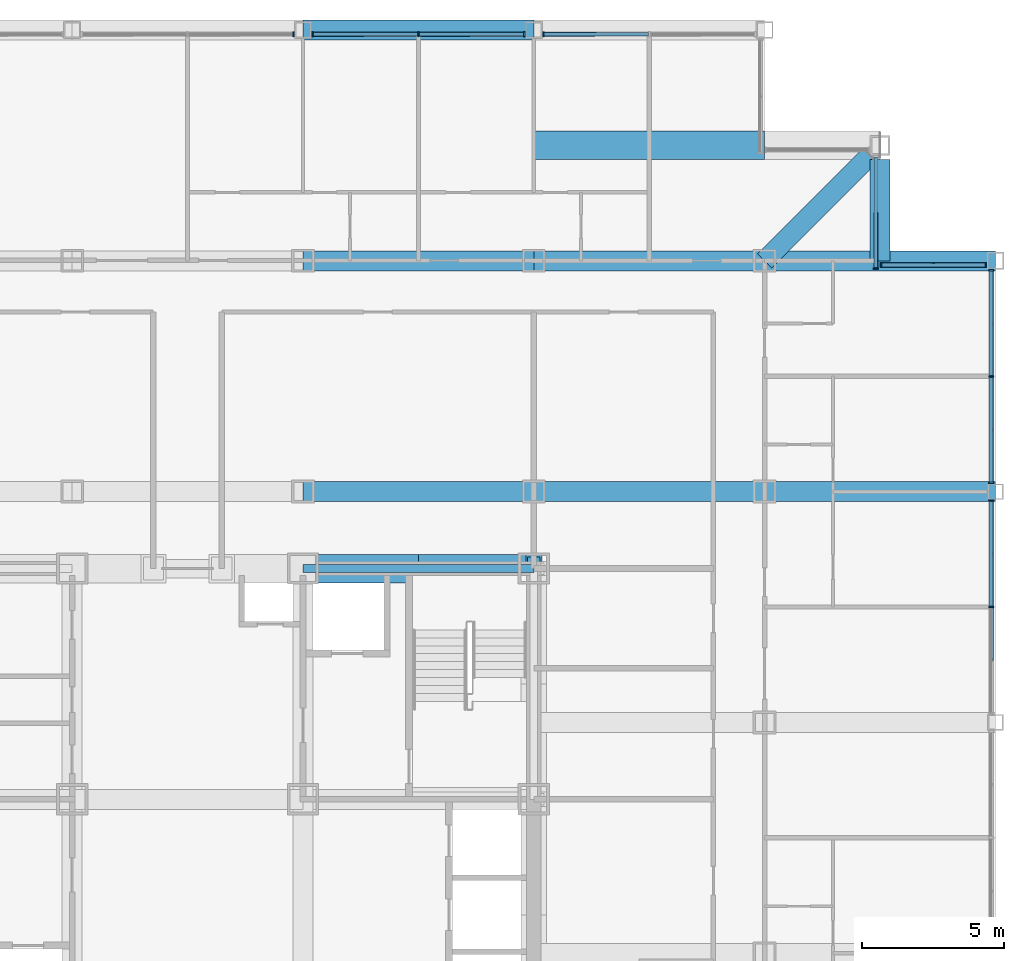
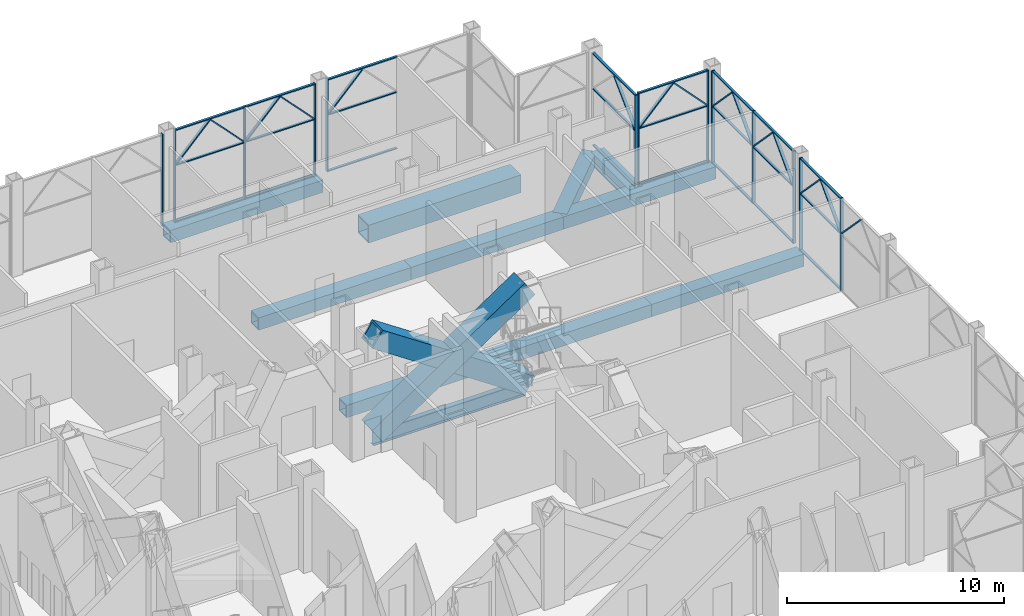
# One storey, part 10 of 29: 54 members, 11 beams, 7 elements without a shape of their own.
"""IFC4 building model written with IfcOpenShell, lengths in metres."""

from ifc_helpers import new_model, si_unit, direction, frame, origin, origin_2d, place, context, subcontext, project, spatial, rectangle, hollow_rectangle, i_section, extrude, material, material_profile, profile_set, type_object, element, aggregate, save


model = new_model("IFC4")

# Units and contexts
model_context = context("Model", 3, precision=1e-05, world=origin(), true_north=direction((0.0, 1.0)))
body_context = subcontext(model_context, "Body", "Model", "MODEL_VIEW")
ifc_project = project(units=[si_unit("LENGTHUNIT", "METRE"), si_unit("AREAUNIT", "SQUARE_METRE"), si_unit("VOLUMEUNIT", "CUBIC_METRE"), si_unit("PLANEANGLEUNIT", "RADIAN"), si_unit("MASSUNIT", "GRAM", prefix="KILO")], contexts=[model_context])

# Site, building, storey
site_placement = place(None, origin())
site = spatial("IfcSite", under=ifc_project, at=site_placement, CompositionType="ELEMENT")
building_placement = place(site_placement, origin())
building = spatial("IfcBuilding", under=site, at=building_placement, Name="Kopane Lantern Tower", CompositionType="ELEMENT")
storey_placement = place(building_placement, frame((0.0, 0.0, 165.0)))
storey = spatial("IfcBuildingStorey", under=building, at=storey_placement, Name="L42", CompositionType="ELEMENT", Elevation=165.0)

# Members
ifc_material_1 = material(Name="Steel S355JR", Category="steel")
ifc_material_profile_1 = material_profile(ifc_material_1, hollow_rectangle(XDim=1.0, YDim=1.0, WallThickness=0.10009765625, at=origin_2d()), Name="BOX 1000x1000x100")
ifc_profile_set_1 = profile_set([ifc_material_profile_1], Name="Steel S355JR")
member_type_1 = type_object("IfcMemberType", Name="BRACE BOX 1000x1000x100", PredefinedType="BRACE", material=ifc_profile_set_1)
for number, where, z_axis, x_axis, name in (
    (1, (32.39990234375, 40.5, -0.25), (0.830159256911, 0.0, 0.557526329571), (0.0, 1.0, 0.0), "Core brace L42"),
    (2, (40.5, 40.5, -0.25), (-0.830159256911, 0.0, 0.557526329571), (0.0, -1.0, 0.0), "Core brace L42"),
):
    element("IfcMember", number, at=place(storey_placement, frame(where, z_axis=z_axis, x_axis=x_axis)), inside=storey, type_object=member_type_1, Name=name, PredefinedType="BRACE", context=body_context, shape_type="SweptSolid", body=[
        extrude(hollow_rectangle(XDim=1.0, YDim=1.0, WallThickness=0.10009765625, at=origin_2d()), origin(), (0.0, 0.0, 1.0), 9.75732421875),
    ])

# Beams
ifc_material_2 = material(Name="Steel S355JR", Category="steel")
ifc_material_profile_2 = material_profile(ifc_material_2, hollow_rectangle(XDim=0.699951171875, YDim=0.699951171875, WallThickness=0.06005859375, at=origin_2d()), Name="BOX 700x700x60")
ifc_profile_set_2 = profile_set([ifc_material_profile_2], Name="Steel S355JR")
beam_type_1 = type_object("IfcBeamType", Name="CORNER TIE BEAM BOX 700x700x60", PredefinedType="BEAM", material=ifc_profile_set_2)
beam_1_placement = place(storey_placement, frame((52.29638671875, 54.996337890625, -0.60009765625), z_axis=(-0.707106781187, -0.707106781187, 0.0), x_axis=(0.707106781187, -0.707106781187, 0.0)))
element("IfcBeam", 3, at=beam_1_placement, inside=storey, type_object=beam_type_1, Name="Corner Tie Beam L42", PredefinedType="BEAM", context=body_context, shape_type="SweptSolid", body=[
    extrude(hollow_rectangle(XDim=0.699951171875, YDim=0.699951171875, WallThickness=0.06005859375, at=origin_2d()), origin(), (0.0, 0.0, 1.0), 5.227294921875),
])
ifc_material_3 = material(Name="Steel S355JR", Category="steel")
ifc_material_profile_3 = material_profile(ifc_material_3, hollow_rectangle(XDim=0.699951171875, YDim=0.699951171875, WallThickness=0.06005859375, at=origin_2d()), Name="BOX 700x700x60")
ifc_profile_set_3 = profile_set([ifc_material_profile_3], Name="Steel S355JR")
beam_type_2 = type_object("IfcBeamType", Name="EDGE BEAM BOX 700x700x60", PredefinedType="BEAM", material=ifc_profile_set_3)
beam_2_placement = place(storey_placement, frame((52.64990234375, 54.85009765625, -0.60009765625), z_axis=(0.0, -1.0, 0.0), x_axis=(1.0, 0.0, 0.0)))
element("IfcBeam", 4, at=beam_2_placement, inside=storey, type_object=beam_type_2, Name="Edge Beam L42", PredefinedType="BEAM", context=body_context, shape_type="SweptSolid", body=[
    extrude(hollow_rectangle(XDim=0.699951171875, YDim=0.699951171875, WallThickness=0.06005859375, at=origin_2d()), origin(), (0.0, 0.0, 1.0), 3.550048828125),
])
ifc_material_4 = material(Name="Steel S355JR", Category="steel")
ifc_material_profile_4 = material_profile(ifc_material_4, hollow_rectangle(XDim=0.699951171875, YDim=0.699951171875, WallThickness=0.06005859375, at=origin_2d()), Name="BOX 700x700x60")
ifc_profile_set_4 = profile_set([ifc_material_profile_4], Name="Steel S355JR")
beam_type_3 = type_object("IfcBeamType", Name="GIRDER BOX 700x700x60", PredefinedType="BEAM", material=ifc_profile_set_4)
for number, where, z_axis, x_axis, name in (
    (5, (32.39990234375, 43.199951171875, -0.60009765625), (1.0, 0.0, 0.0), (0.0, 1.0, 0.0), "Girder L42"),
    (6, (32.39990234375, 51.300048828125, -0.60009765625), (1.0, 0.0, 0.0), (0.0, 1.0, 0.0), "Girder L42"),
    (7, (32.39990234375, 59.39990234375, -0.60009765625), (1.0, 0.0, 0.0), (0.0, 1.0, 0.0), "Girder L42"),
    (8, (40.5, 43.199951171875, -0.60009765625), (1.0, 0.0, 0.0), (0.0, 1.0, 0.0), "Girder L42"),
    (9, (40.5, 51.300048828125, -0.60009765625), (1.0, 0.0, 0.0), (0.0, 1.0, 0.0), "Girder L42"),
):
    element("IfcBeam", number, at=place(storey_placement, frame(where, z_axis=z_axis, x_axis=x_axis)), inside=storey, type_object=beam_type_3, Name=name, PredefinedType="BEAM", context=body_context, shape_type="SweptSolid", body=[
        extrude(hollow_rectangle(XDim=0.699951171875, YDim=0.699951171875, WallThickness=0.06005859375, at=origin_2d()), origin(), (0.0, 0.0, 1.0), 8.10009765625),
    ])
for number, where, z_axis, x_axis, name in (
    (10, (48.60009765625, 43.199951171875, -0.60009765625), (1.0, 0.0, 0.0), (0.0, 1.0, 0.0), "Girder L42"),
    (11, (48.60009765625, 51.300048828125, -0.60009765625), (1.0, 0.0, 0.0), (0.0, 1.0, 0.0), "Girder L42"),
):
    element("IfcBeam", number, at=place(storey_placement, frame(where, z_axis=z_axis, x_axis=x_axis)), inside=storey, type_object=beam_type_3, Name=name, PredefinedType="BEAM", context=body_context, shape_type="SweptSolid", body=[
        extrude(hollow_rectangle(XDim=0.699951171875, YDim=0.699951171875, WallThickness=0.06005859375, at=origin_2d()), origin(), (0.0, 0.0, 1.0), 8.099853515625),
    ])
ifc_material_5 = material(Name="Steel S355JR", Category="steel")
ifc_material_profile_5 = material_profile(ifc_material_5, i_section(OverallWidth=0.26806640625, OverallDepth=0.769775390625, WebThickness=0.015625, FlangeThickness=0.025390625, FilletRadius=0.0166015625, at=origin_2d()), Name="UB 762x267x197")
ifc_profile_set_5 = profile_set([ifc_material_profile_5], Name="Steel S355JR")
beam_type_4 = type_object("IfcBeamType", Name="GIRDER UB 762x267x197", PredefinedType="BEAM", material=ifc_profile_set_5)
beam_3_placement = place(storey_placement, frame((32.39990234375, 40.5, -0.635009765625), z_axis=(1.0, 0.0, 0.0), x_axis=(0.0, 1.0, 0.0)))
element("IfcBeam", 12, at=beam_3_placement, inside=storey, type_object=beam_type_4, Name="Girder L42", PredefinedType="BEAM", context=body_context, shape_type="SweptSolid", body=[
    extrude(i_section(OverallWidth=0.26806640625, OverallDepth=0.769775390625, WebThickness=0.015625, FlangeThickness=0.025390625, FilletRadius=0.0166015625, at=origin_2d()), origin(), (0.0, 0.0, 1.0), 8.10009765625),
])

# Curtain wall, members
ifc_material_6 = material(Name="Aluminium and clear glass", Category="aluminium")
curtain_wall_type = type_object("IfcCurtainWallType", Name="CURTAIN WALL CW4 RESIDENCES LOBBY", PredefinedType="USERDEFINED", material=ifc_material_6)
curtain_wall_1_placement = place(storey_placement, origin())
curtain_wall_1 = element("IfcCurtainWall", 13, at=curtain_wall_1_placement, inside=storey, type_object=curtain_wall_type, Name="Curtain wall CW4 E L42", ObjectType="CURTAIN WALL", PredefinedType="USERDEFINED")
ifc_material_7 = material(Name="Aluminium", Category="aluminium")
ifc_material_profile_6 = material_profile(ifc_material_7, rectangle(XDim=0.06005859375, YDim=0.1650390625, at=origin_2d()), Name="AL 60x165")
ifc_profile_set_6 = profile_set([ifc_material_profile_6], Name="Aluminium")
member_type_2 = type_object("IfcMemberType", Name="MULLION CW4-M 60x165", PredefinedType="MULLION", material=ifc_profile_set_6)
member_1_placement = place(storey_placement, frame((56.550048828125, 39.14990234375, 0.0), z_axis=(0.0, 0.0, 1.0), x_axis=(0.0, 1.0, 0.0)))
member_1 = element("IfcMember", 14, at=member_1_placement, type_object=member_type_2, Name="CW4 mullion 2", PredefinedType="MULLION", context=body_context, shape_type="SweptSolid", body=[
    extrude(rectangle(XDim=0.06005859375, YDim=0.1650390625, at=origin_2d()), origin(), (0.0, 0.0, 1.0), 5.18994140625),
])
member_2_placement = place(storey_placement, frame((56.550048828125, 42.889892578125, 0.0), z_axis=(0.0, 0.0, 1.0), x_axis=(0.0, 1.0, 0.0)))
member_2 = element("IfcMember", 15, at=member_2_placement, type_object=member_type_2, Name="CW4 mullion 3", PredefinedType="MULLION", context=body_context, shape_type="SweptSolid", body=[
    extrude(rectangle(XDim=0.06005859375, YDim=0.1650390625, at=origin_2d()), origin(), (0.0, 0.0, 1.0), 5.18994140625),
])
member_3_placement = place(storey_placement, frame((56.550048828125, 39.098388671875, 3.24072265625), z_axis=(0.0, -0.693174589614, 0.720769719337), x_axis=(0.0, 0.720769719337, 0.693174589614)))
member_3 = element("IfcMember", 16, at=member_3_placement, type_object=member_type_2, Name="CW4 lancet mullion 1R", PredefinedType="MULLION", context=body_context, shape_type="SweptSolid", body=[
    extrude(rectangle(XDim=0.06005859375, YDim=0.1650390625, at=origin_2d()), origin(), (0.0, 0.0, 1.0), 2.59228515625),
])
member_4_placement = place(storey_placement, frame((56.550048828125, 39.20166015625, 3.24072265625), z_axis=(0.0, 0.693125656775, 0.720816775554), x_axis=(0.0, -0.720816775554, 0.693125656775)))
member_4 = element("IfcMember", 17, at=member_4_placement, type_object=member_type_2, Name="CW4 lancet mullion 2L", PredefinedType="MULLION", context=body_context, shape_type="SweptSolid", body=[
    extrude(rectangle(XDim=0.06005859375, YDim=0.1650390625, at=origin_2d()), origin(), (0.0, 0.0, 1.0), 2.592041015625),
])
member_5_placement = place(storey_placement, frame((56.550048828125, 42.83837890625, 3.24072265625), z_axis=(0.0, -0.693174589614, 0.720769719337), x_axis=(0.0, 0.720769719337, 0.693174589614)))
member_5 = element("IfcMember", 18, at=member_5_placement, type_object=member_type_2, Name="CW4 lancet mullion 2R", PredefinedType="MULLION", context=body_context, shape_type="SweptSolid", body=[
    extrude(rectangle(XDim=0.06005859375, YDim=0.1650390625, at=origin_2d()), origin(), (0.0, 0.0, 1.0), 2.59228515625),
])

curtain_wall_2_placement = place(storey_placement, origin())
curtain_wall_2 = element("IfcCurtainWall", 19, at=curtain_wall_2_placement, inside=storey, type_object=curtain_wall_type, Name="Curtain wall CW4 E L42", ObjectType="CURTAIN WALL", PredefinedType="USERDEFINED")
member_6_placement = place(storey_placement, frame((56.550048828125, 43.510009765625, 0.0), z_axis=(0.0, 0.0, 1.0), x_axis=(0.0, 1.0, 0.0)))
member_6 = element("IfcMember", 20, at=member_6_placement, type_object=member_type_2, Name="CW4 mullion 1", PredefinedType="MULLION", context=body_context, shape_type="SweptSolid", body=[
    extrude(rectangle(XDim=0.06005859375, YDim=0.1650390625, at=origin_2d()), origin(), (0.0, 0.0, 1.0), 5.18994140625),
])
member_7_placement = place(storey_placement, frame((56.550048828125, 47.237548828125, 0.0), z_axis=(0.0, 0.0, 1.0), x_axis=(0.0, 1.0, 0.0)))
member_7 = element("IfcMember", 21, at=member_7_placement, type_object=member_type_2, Name="CW4 mullion 2", PredefinedType="MULLION", context=body_context, shape_type="SweptSolid", body=[
    extrude(rectangle(XDim=0.06005859375, YDim=0.1650390625, at=origin_2d()), origin(), (0.0, 0.0, 1.0), 5.18994140625),
])
member_8_placement = place(storey_placement, frame((56.550048828125, 50.965087890625, 0.0), z_axis=(0.0, 0.0, 1.0), x_axis=(0.0, 1.0, 0.0)))
member_8 = element("IfcMember", 22, at=member_8_placement, type_object=member_type_2, Name="CW4 mullion 3", PredefinedType="MULLION", context=body_context, shape_type="SweptSolid", body=[
    extrude(rectangle(XDim=0.06005859375, YDim=0.1650390625, at=origin_2d()), origin(), (0.0, 0.0, 1.0), 5.18994140625),
])
member_9_placement = place(storey_placement, frame((56.550048828125, 43.561767578125, 3.24072265625), z_axis=(0.0, 0.691850033454, 0.722041225423), x_axis=(0.0, -0.722041225423, 0.691850033454)))
member_9 = element("IfcMember", 23, at=member_9_placement, type_object=member_type_2, Name="CW4 lancet mullion 1L", PredefinedType="MULLION", context=body_context, shape_type="SweptSolid", body=[
    extrude(rectangle(XDim=0.06005859375, YDim=0.1650390625, at=origin_2d()), origin(), (0.0, 0.0, 1.0), 2.587646484375),
])
member_10_placement = place(storey_placement, frame((56.550048828125, 47.185791015625, 3.24072265625), z_axis=(0.0, -0.691850033454, 0.722041225423), x_axis=(0.0, 0.722041225423, 0.691850033454)))
member_10 = element("IfcMember", 24, at=member_10_placement, type_object=member_type_2, Name="CW4 lancet mullion 1R", PredefinedType="MULLION", context=body_context, shape_type="SweptSolid", body=[
    extrude(rectangle(XDim=0.06005859375, YDim=0.1650390625, at=origin_2d()), origin(), (0.0, 0.0, 1.0), 2.587646484375),
])
member_11_placement = place(storey_placement, frame((56.550048828125, 47.289306640625, 3.24072265625), z_axis=(0.0, 0.691850033454, 0.722041225423), x_axis=(0.0, -0.722041225423, 0.691850033454)))
member_11 = element("IfcMember", 25, at=member_11_placement, type_object=member_type_2, Name="CW4 lancet mullion 2L", PredefinedType="MULLION", context=body_context, shape_type="SweptSolid", body=[
    extrude(rectangle(XDim=0.06005859375, YDim=0.1650390625, at=origin_2d()), origin(), (0.0, 0.0, 1.0), 2.587646484375),
])
member_12_placement = place(storey_placement, frame((56.550048828125, 50.913330078125, 3.24072265625), z_axis=(0.0, -0.691899216084, 0.721994096085), x_axis=(0.0, 0.721994096085, 0.691899216084)))
member_12 = element("IfcMember", 26, at=member_12_placement, type_object=member_type_2, Name="CW4 lancet mullion 2R", PredefinedType="MULLION", context=body_context, shape_type="SweptSolid", body=[
    extrude(rectangle(XDim=0.06005859375, YDim=0.1650390625, at=origin_2d()), origin(), (0.0, 0.0, 1.0), 2.587890625),
])

curtain_wall_3_placement = place(storey_placement, origin())
curtain_wall_3 = element("IfcCurtainWall", 27, at=curtain_wall_3_placement, inside=storey, type_object=curtain_wall_type, Name="Curtain wall CW4 N L42", ObjectType="CURTAIN WALL", PredefinedType="USERDEFINED")
member_13_placement = place(storey_placement, frame((56.3701171875, 51.14990234375, 0.0), z_axis=(0.0, 0.0, 1.0), x_axis=(-1.0, 0.0, 0.0)))
member_13 = element("IfcMember", 28, at=member_13_placement, type_object=member_type_2, Name="CW4 mullion 1", PredefinedType="MULLION", context=body_context, shape_type="SweptSolid", body=[
    extrude(rectangle(XDim=0.06005859375, YDim=0.1650390625, at=origin_2d()), origin(), (0.0, 0.0, 1.0), 5.18994140625),
])
member_14_placement = place(storey_placement, frame((52.679931640625, 51.14990234375, 0.0), z_axis=(0.0, 0.0, 1.0), x_axis=(-1.0, 0.0, 0.0)))
member_14 = element("IfcMember", 29, at=member_14_placement, type_object=member_type_2, Name="CW4 mullion 2", PredefinedType="MULLION", context=body_context, shape_type="SweptSolid", body=[
    extrude(rectangle(XDim=0.06005859375, YDim=0.1650390625, at=origin_2d()), origin(), (0.0, 0.0, 1.0), 5.18994140625),
])
member_15_placement = place(storey_placement, frame((56.318115234375, 51.14990234375, 3.240478515625), z_axis=(-0.687889280397, 0.0, 0.725815636312), x_axis=(0.725815636312, 0.0, 0.687889280397)))
member_15 = element("IfcMember", 30, at=member_15_placement, type_object=member_type_2, Name="CW4 lancet mullion 1L", PredefinedType="MULLION", context=body_context, shape_type="SweptSolid", body=[
    extrude(rectangle(XDim=0.06005859375, YDim=0.1650390625, at=origin_2d()), origin(), (0.0, 0.0, 1.0), 2.574951171875),
])
member_16_placement = place(storey_placement, frame((52.731689453125, 51.14990234375, 3.240478515625), z_axis=(0.687939225312, 0.0, 0.725768297928), x_axis=(-0.725768297928, 0.0, 0.687939225312)))
member_16 = element("IfcMember", 31, at=member_16_placement, type_object=member_type_2, Name="CW4 lancet mullion 1R", PredefinedType="MULLION", context=body_context, shape_type="SweptSolid", body=[
    extrude(rectangle(XDim=0.06005859375, YDim=0.1650390625, at=origin_2d()), origin(), (0.0, 0.0, 1.0), 2.574951171875),
])

curtain_wall_4_placement = place(storey_placement, origin())
curtain_wall_4 = element("IfcCurtainWall", 32, at=curtain_wall_4_placement, inside=storey, type_object=curtain_wall_type, Name="Curtain wall CW4 E L42", ObjectType="CURTAIN WALL", PredefinedType="USERDEFINED")
member_17_placement = place(storey_placement, frame((52.5, 51.030029296875, 0.0), z_axis=(0.0, 0.0, 1.0), x_axis=(0.0, 1.0, 0.0)))
member_17 = element("IfcMember", 33, at=member_17_placement, type_object=member_type_2, Name="CW4 mullion 1", PredefinedType="MULLION", context=body_context, shape_type="SweptSolid", body=[
    extrude(rectangle(XDim=0.06005859375, YDim=0.1650390625, at=origin_2d()), origin(), (0.0, 0.0, 1.0), 5.18994140625),
])
member_18_placement = place(storey_placement, frame((52.5, 51.0810546875, 3.241455078125), z_axis=(0.0, 0.712363521538, 0.701810667618), x_axis=(0.0, -0.701810667618, 0.712363521538)))
member_18 = element("IfcMember", 34, at=member_18_placement, type_object=member_type_2, Name="CW4 lancet mullion 1L", PredefinedType="MULLION", context=body_context, shape_type="SweptSolid", body=[
    extrude(rectangle(XDim=0.06005859375, YDim=0.1650390625, at=origin_2d()), origin(), (0.0, 0.0, 1.0), 2.66064453125),
])

curtain_wall_5_placement = place(storey_placement, origin())
curtain_wall_5 = element("IfcCurtainWall", 35, at=curtain_wall_5_placement, inside=storey, type_object=curtain_wall_type, Name="Curtain wall CW4 N L42", ObjectType="CURTAIN WALL", PredefinedType="USERDEFINED")
member_19_placement = place(storey_placement, frame((40.8349609375, 59.25, 0.0), z_axis=(0.0, 0.0, 1.0), x_axis=(-1.0, 0.0, 0.0)))
member_19 = element("IfcMember", 36, at=member_19_placement, type_object=member_type_2, Name="CW4 mullion 3", PredefinedType="MULLION", context=body_context, shape_type="SweptSolid", body=[
    extrude(rectangle(XDim=0.06005859375, YDim=0.1650390625, at=origin_2d()), origin(), (0.0, 0.0, 1.0), 5.18994140625),
])
member_20_placement = place(storey_placement, frame((40.88671875, 59.25, 3.24072265625), z_axis=(0.690817170818, 0.0, 0.723029485224), x_axis=(-0.723029485224, 0.0, 0.690817170818)))
member_20 = element("IfcMember", 37, at=member_20_placement, type_object=member_type_2, Name="CW4 lancet mullion 2R", PredefinedType="MULLION", context=body_context, shape_type="SweptSolid", body=[
    extrude(rectangle(XDim=0.06005859375, YDim=0.1650390625, at=origin_2d()), origin(), (0.0, 0.0, 1.0), 2.58447265625),
])

curtain_wall_6_placement = place(storey_placement, origin())
curtain_wall_6 = element("IfcCurtainWall", 38, at=curtain_wall_6_placement, inside=storey, type_object=curtain_wall_type, Name="Curtain wall CW4 N L42", ObjectType="CURTAIN WALL", PredefinedType="USERDEFINED")
member_21_placement = place(storey_placement, frame((40.1650390625, 59.25, 0.0), z_axis=(0.0, 0.0, 1.0), x_axis=(-1.0, 0.0, 0.0)))
member_21 = element("IfcMember", 39, at=member_21_placement, type_object=member_type_2, Name="CW4 mullion 1", PredefinedType="MULLION", context=body_context, shape_type="SweptSolid", body=[
    extrude(rectangle(XDim=0.06005859375, YDim=0.1650390625, at=origin_2d()), origin(), (0.0, 0.0, 1.0), 5.18994140625),
])
member_22_placement = place(storey_placement, frame((36.449951171875, 59.25, 0.0), z_axis=(0.0, 0.0, 1.0), x_axis=(-1.0, 0.0, 0.0)))
member_22 = element("IfcMember", 40, at=member_22_placement, type_object=member_type_2, Name="CW4 mullion 2", PredefinedType="MULLION", context=body_context, shape_type="SweptSolid", body=[
    extrude(rectangle(XDim=0.06005859375, YDim=0.1650390625, at=origin_2d()), origin(), (0.0, 0.0, 1.0), 5.18994140625),
])
member_23_placement = place(storey_placement, frame((32.735107421875, 59.25, 0.0), z_axis=(0.0, 0.0, 1.0), x_axis=(-1.0, 0.0, 0.0)))
member_23 = element("IfcMember", 41, at=member_23_placement, type_object=member_type_2, Name="CW4 mullion 3", PredefinedType="MULLION", context=body_context, shape_type="SweptSolid", body=[
    extrude(rectangle(XDim=0.06005859375, YDim=0.1650390625, at=origin_2d()), origin(), (0.0, 0.0, 1.0), 5.18994140625),
])
member_24_placement = place(storey_placement, frame((40.11328125, 59.25, 3.24072265625), z_axis=(-0.690570133739, 0.0, 0.723265435637), x_axis=(0.723265435637, 0.0, 0.690570133739)))
member_24 = element("IfcMember", 42, at=member_24_placement, type_object=member_type_2, Name="CW4 lancet mullion 1L", PredefinedType="MULLION", context=body_context, shape_type="SweptSolid", body=[
    extrude(rectangle(XDim=0.06005859375, YDim=0.1650390625, at=origin_2d()), origin(), (0.0, 0.0, 1.0), 2.583740234375),
])
member_25_placement = place(storey_placement, frame((36.501708984375, 59.25, 3.24072265625), z_axis=(0.690570133739, 0.0, 0.723265435637), x_axis=(-0.723265435637, 0.0, 0.690570133739)))
member_25 = element("IfcMember", 43, at=member_25_placement, type_object=member_type_2, Name="CW4 lancet mullion 1R", PredefinedType="MULLION", context=body_context, shape_type="SweptSolid", body=[
    extrude(rectangle(XDim=0.06005859375, YDim=0.1650390625, at=origin_2d()), origin(), (0.0, 0.0, 1.0), 2.583740234375),
])
member_26_placement = place(storey_placement, frame((36.398193359375, 59.25, 3.24072265625), z_axis=(-0.690520697299, 0.0, 0.723312634067), x_axis=(0.723312634067, 0.0, 0.690520697299)))
member_26 = element("IfcMember", 44, at=member_26_placement, type_object=member_type_2, Name="CW4 lancet mullion 2L", PredefinedType="MULLION", context=body_context, shape_type="SweptSolid", body=[
    extrude(rectangle(XDim=0.06005859375, YDim=0.1650390625, at=origin_2d()), origin(), (0.0, 0.0, 1.0), 2.58349609375),
])
member_27_placement = place(storey_placement, frame((32.78662109375, 59.25, 3.24072265625), z_axis=(0.690570133739, 0.0, 0.723265435637), x_axis=(-0.723265435637, 0.0, 0.690570133739)))
member_27 = element("IfcMember", 45, at=member_27_placement, type_object=member_type_2, Name="CW4 lancet mullion 2R", PredefinedType="MULLION", context=body_context, shape_type="SweptSolid", body=[
    extrude(rectangle(XDim=0.06005859375, YDim=0.1650390625, at=origin_2d()), origin(), (0.0, 0.0, 1.0), 2.583740234375),
])

# Curtain wall, member
curtain_wall_7_placement = place(storey_placement, origin())
curtain_wall_7 = element("IfcCurtainWall", 46, at=curtain_wall_7_placement, inside=storey, type_object=curtain_wall_type, Name="Curtain wall CW4 N L42", ObjectType="CURTAIN WALL", PredefinedType="USERDEFINED")
member_28_placement = place(storey_placement, frame((32.06494140625, 59.25, 0.0), z_axis=(0.0, 0.0, 1.0), x_axis=(-1.0, 0.0, 0.0)))
member_28 = element("IfcMember", 47, at=member_28_placement, type_object=member_type_2, Name="CW4 mullion 1", PredefinedType="MULLION", context=body_context, shape_type="SweptSolid", body=[
    extrude(rectangle(XDim=0.06005859375, YDim=0.1650390625, at=origin_2d()), origin(), (0.0, 0.0, 1.0), 5.18994140625),
])
aggregate(curtain_wall_7, [member_28])

# Beam
ifc_material_8 = material(Name="Steel S355JR", Category="steel")
ifc_material_profile_7 = material_profile(ifc_material_8, hollow_rectangle(XDim=1.0, YDim=1.0, WallThickness=0.06005859375, at=origin_2d()), Name="BOX 1000x1000x60")
ifc_profile_set_7 = profile_set([ifc_material_profile_7], Name="Steel S355JR")
beam_type_5 = type_object("IfcBeamType", Name="TRANSFER BEAM BOX 1000x1000x60", PredefinedType="BEAM", material=ifc_profile_set_7)
beam_4_placement = place(storey_placement, frame((48.60009765625, 55.35009765625, -0.75), z_axis=(-1.0, 0.0, 0.0), x_axis=(0.0, -1.0, 0.0)))
element("IfcBeam", 48, at=beam_4_placement, inside=storey, type_object=beam_type_5, Name="Transfer Beam L42", PredefinedType="BEAM", context=body_context, shape_type="SweptSolid", body=[
    extrude(hollow_rectangle(XDim=1.0, YDim=1.0, WallThickness=0.06005859375, at=origin_2d()), origin(), (0.0, 0.0, 1.0), 8.10009765625),
])

# Member
ifc_material_9 = material(Name="Aluminium", Category="aluminium")
ifc_material_profile_8 = material_profile(ifc_material_9, rectangle(XDim=0.125, YDim=0.06005859375, at=origin_2d()), Name="AL 125x60")
ifc_profile_set_8 = profile_set([ifc_material_profile_8], Name="Aluminium")
member_type_3 = type_object("IfcMemberType", Name="TRANSOM CW4-T 60x125", PredefinedType="USERDEFINED", material=ifc_profile_set_8)
member_29_placement = place(storey_placement, frame((56.550048828125, 39.179931640625, 0.030029296875), z_axis=(0.0, 1.0, 0.0), x_axis=(-1.0, 0.0, 0.0)))
member_29 = element("IfcMember", 49, at=member_29_placement, type_object=member_type_3, Name="CW4 transom 2.1", ObjectType="TRANSOM", PredefinedType="USERDEFINED", context=body_context, shape_type="SweptSolid", body=[
    extrude(rectangle(XDim=0.125, YDim=0.06005859375, at=origin_2d()), origin(), (0.0, 0.0, 1.0), 3.68017578125),
])

member_30_placement = place(storey_placement, frame((56.550048828125, 39.179931640625, 3.18994140625), z_axis=(0.0, 1.0, 0.0), x_axis=(-1.0, 0.0, 0.0)))
member_30 = element("IfcMember", 50, at=member_30_placement, type_object=member_type_3, Name="CW4 transom 2.2", ObjectType="TRANSOM", PredefinedType="USERDEFINED", context=body_context, shape_type="SweptSolid", body=[
    extrude(rectangle(XDim=0.125, YDim=0.06005859375, at=origin_2d()), origin(), (0.0, 0.0, 1.0), 3.68017578125),
])

member_31_placement = place(storey_placement, frame((56.550048828125, 39.179931640625, 5.159912109375), z_axis=(0.0, 1.0, 0.0), x_axis=(-1.0, 0.0, 0.0)))
member_31 = element("IfcMember", 51, at=member_31_placement, type_object=member_type_3, Name="CW4 transom 2.3", ObjectType="TRANSOM", PredefinedType="USERDEFINED", context=body_context, shape_type="SweptSolid", body=[
    extrude(rectangle(XDim=0.125, YDim=0.06005859375, at=origin_2d()), origin(), (0.0, 0.0, 1.0), 3.68017578125),
])

aggregate(curtain_wall_1, [member_1, member_2, member_29, member_30, member_31, member_3, member_4, member_5])

member_32_placement = place(storey_placement, frame((56.550048828125, 43.5400390625, 0.030029296875), z_axis=(0.0, 1.0, 0.0), x_axis=(-1.0, 0.0, 0.0)))
member_32 = element("IfcMember", 52, at=member_32_placement, type_object=member_type_3, Name="CW4 transom 1.1", ObjectType="TRANSOM", PredefinedType="USERDEFINED", context=body_context, shape_type="SweptSolid", body=[
    extrude(rectangle(XDim=0.125, YDim=0.06005859375, at=origin_2d()), origin(), (0.0, 0.0, 1.0), 3.66748046875),
])

member_33_placement = place(storey_placement, frame((56.550048828125, 43.5400390625, 3.18994140625), z_axis=(0.0, 1.0, 0.0), x_axis=(-1.0, 0.0, 0.0)))
member_33 = element("IfcMember", 53, at=member_33_placement, type_object=member_type_3, Name="CW4 transom 1.2", ObjectType="TRANSOM", PredefinedType="USERDEFINED", context=body_context, shape_type="SweptSolid", body=[
    extrude(rectangle(XDim=0.125, YDim=0.06005859375, at=origin_2d()), origin(), (0.0, 0.0, 1.0), 3.66748046875),
])

member_34_placement = place(storey_placement, frame((56.550048828125, 43.5400390625, 5.159912109375), z_axis=(0.0, 1.0, 0.0), x_axis=(-1.0, 0.0, 0.0)))
member_34 = element("IfcMember", 54, at=member_34_placement, type_object=member_type_3, Name="CW4 transom 1.3", ObjectType="TRANSOM", PredefinedType="USERDEFINED", context=body_context, shape_type="SweptSolid", body=[
    extrude(rectangle(XDim=0.125, YDim=0.06005859375, at=origin_2d()), origin(), (0.0, 0.0, 1.0), 3.66748046875),
])

member_35_placement = place(storey_placement, frame((56.550048828125, 47.267578125, 0.030029296875), z_axis=(0.0, 1.0, 0.0), x_axis=(-1.0, 0.0, 0.0)))
member_35 = element("IfcMember", 55, at=member_35_placement, type_object=member_type_3, Name="CW4 transom 2.1", ObjectType="TRANSOM", PredefinedType="USERDEFINED", context=body_context, shape_type="SweptSolid", body=[
    extrude(rectangle(XDim=0.125, YDim=0.06005859375, at=origin_2d()), origin(), (0.0, 0.0, 1.0), 3.66748046875),
])

member_36_placement = place(storey_placement, frame((56.550048828125, 47.267578125, 3.18994140625), z_axis=(0.0, 1.0, 0.0), x_axis=(-1.0, 0.0, 0.0)))
member_36 = element("IfcMember", 56, at=member_36_placement, type_object=member_type_3, Name="CW4 transom 2.2", ObjectType="TRANSOM", PredefinedType="USERDEFINED", context=body_context, shape_type="SweptSolid", body=[
    extrude(rectangle(XDim=0.125, YDim=0.06005859375, at=origin_2d()), origin(), (0.0, 0.0, 1.0), 3.66748046875),
])

member_37_placement = place(storey_placement, frame((56.550048828125, 47.267578125, 5.159912109375), z_axis=(0.0, 1.0, 0.0), x_axis=(-1.0, 0.0, 0.0)))
member_37 = element("IfcMember", 57, at=member_37_placement, type_object=member_type_3, Name="CW4 transom 2.3", ObjectType="TRANSOM", PredefinedType="USERDEFINED", context=body_context, shape_type="SweptSolid", body=[
    extrude(rectangle(XDim=0.125, YDim=0.06005859375, at=origin_2d()), origin(), (0.0, 0.0, 1.0), 3.66748046875),
])

aggregate(curtain_wall_2, [member_6, member_7, member_8, member_32, member_33, member_34, member_35, member_36, member_37, member_9, member_10, member_11, member_12])

member_38_placement = place(storey_placement, frame((56.340087890625, 51.14990234375, 0.030029296875), z_axis=(-1.0, 0.0, 0.0), x_axis=(0.0, -1.0, 0.0)))
member_38 = element("IfcMember", 58, at=member_38_placement, type_object=member_type_3, Name="CW4 transom 1.1", ObjectType="TRANSOM", PredefinedType="USERDEFINED", context=body_context, shape_type="SweptSolid", body=[
    extrude(rectangle(XDim=0.125, YDim=0.06005859375, at=origin_2d()), origin(), (0.0, 0.0, 1.0), 3.630126953125),
])

member_39_placement = place(storey_placement, frame((56.340087890625, 51.14990234375, 3.18994140625), z_axis=(-1.0, 0.0, 0.0), x_axis=(0.0, -1.0, 0.0)))
member_39 = element("IfcMember", 59, at=member_39_placement, type_object=member_type_3, Name="CW4 transom 1.2", ObjectType="TRANSOM", PredefinedType="USERDEFINED", context=body_context, shape_type="SweptSolid", body=[
    extrude(rectangle(XDim=0.125, YDim=0.06005859375, at=origin_2d()), origin(), (0.0, 0.0, 1.0), 3.630126953125),
])

member_40_placement = place(storey_placement, frame((56.340087890625, 51.14990234375, 5.159912109375), z_axis=(-1.0, 0.0, 0.0), x_axis=(0.0, -1.0, 0.0)))
member_40 = element("IfcMember", 60, at=member_40_placement, type_object=member_type_3, Name="CW4 transom 1.3", ObjectType="TRANSOM", PredefinedType="USERDEFINED", context=body_context, shape_type="SweptSolid", body=[
    extrude(rectangle(XDim=0.125, YDim=0.06005859375, at=origin_2d()), origin(), (0.0, 0.0, 1.0), 3.630126953125),
])

aggregate(curtain_wall_3, [member_13, member_14, member_38, member_39, member_40, member_15, member_16])

member_41_placement = place(storey_placement, frame((52.5, 51.06005859375, 0.030029296875), z_axis=(0.0, 1.0, 0.0), x_axis=(-1.0, 0.0, 0.0)))
member_41 = element("IfcMember", 61, at=member_41_placement, type_object=member_type_3, Name="CW4 transom 1.1", ObjectType="TRANSOM", PredefinedType="USERDEFINED", context=body_context, shape_type="SweptSolid", body=[
    extrude(rectangle(XDim=0.125, YDim=0.06005859375, at=origin_2d()), origin(), (0.0, 0.0, 1.0), 3.875),
])

member_42_placement = place(storey_placement, frame((52.5, 51.06005859375, 3.18994140625), z_axis=(0.0, 1.0, 0.0), x_axis=(-1.0, 0.0, 0.0)))
member_42 = element("IfcMember", 62, at=member_42_placement, type_object=member_type_3, Name="CW4 transom 1.2", ObjectType="TRANSOM", PredefinedType="USERDEFINED", context=body_context, shape_type="SweptSolid", body=[
    extrude(rectangle(XDim=0.125, YDim=0.06005859375, at=origin_2d()), origin(), (0.0, 0.0, 1.0), 3.875),
])

member_43_placement = place(storey_placement, frame((52.5, 51.06005859375, 5.159912109375), z_axis=(0.0, 1.0, 0.0), x_axis=(-1.0, 0.0, 0.0)))
member_43 = element("IfcMember", 63, at=member_43_placement, type_object=member_type_3, Name="CW4 transom 1.3", ObjectType="TRANSOM", PredefinedType="USERDEFINED", context=body_context, shape_type="SweptSolid", body=[
    extrude(rectangle(XDim=0.125, YDim=0.06005859375, at=origin_2d()), origin(), (0.0, 0.0, 1.0), 3.875),
])

aggregate(curtain_wall_4, [member_17, member_41, member_42, member_43, member_18])

member_44_placement = place(storey_placement, frame((44.5224609375, 59.25, 0.030029296875), z_axis=(-1.0, 0.0, 0.0), x_axis=(0.0, -1.0, 0.0)))
member_44 = element("IfcMember", 64, at=member_44_placement, type_object=member_type_3, Name="CW4 transom 2.1", ObjectType="TRANSOM", PredefinedType="USERDEFINED", context=body_context, shape_type="SweptSolid", body=[
    extrude(rectangle(XDim=0.125, YDim=0.06005859375, at=origin_2d()), origin(), (0.0, 0.0, 1.0), 3.657470703125),
])

member_45_placement = place(storey_placement, frame((44.5224609375, 59.25, 3.18994140625), z_axis=(-1.0, 0.0, 0.0), x_axis=(0.0, -1.0, 0.0)))
member_45 = element("IfcMember", 65, at=member_45_placement, type_object=member_type_3, Name="CW4 transom 2.2", ObjectType="TRANSOM", PredefinedType="USERDEFINED", context=body_context, shape_type="SweptSolid", body=[
    extrude(rectangle(XDim=0.125, YDim=0.06005859375, at=origin_2d()), origin(), (0.0, 0.0, 1.0), 3.657470703125),
])

member_46_placement = place(storey_placement, frame((44.5224609375, 59.25, 5.159912109375), z_axis=(-1.0, 0.0, 0.0), x_axis=(0.0, -1.0, 0.0)))
member_46 = element("IfcMember", 66, at=member_46_placement, type_object=member_type_3, Name="CW4 transom 2.3", ObjectType="TRANSOM", PredefinedType="USERDEFINED", context=body_context, shape_type="SweptSolid", body=[
    extrude(rectangle(XDim=0.125, YDim=0.06005859375, at=origin_2d()), origin(), (0.0, 0.0, 1.0), 3.657470703125),
])

aggregate(curtain_wall_5, [member_19, member_44, member_45, member_46, member_20])

member_47_placement = place(storey_placement, frame((40.135009765625, 59.25, 0.030029296875), z_axis=(-1.0, 0.0, 0.0), x_axis=(0.0, -1.0, 0.0)))
member_47 = element("IfcMember", 67, at=member_47_placement, type_object=member_type_3, Name="CW4 transom 1.1", ObjectType="TRANSOM", PredefinedType="USERDEFINED", context=body_context, shape_type="SweptSolid", body=[
    extrude(rectangle(XDim=0.125, YDim=0.06005859375, at=origin_2d()), origin(), (0.0, 0.0, 1.0), 3.655029296875),
])

member_48_placement = place(storey_placement, frame((40.135009765625, 59.25, 3.18994140625), z_axis=(-1.0, 0.0, 0.0), x_axis=(0.0, -1.0, 0.0)))
member_48 = element("IfcMember", 68, at=member_48_placement, type_object=member_type_3, Name="CW4 transom 1.2", ObjectType="TRANSOM", PredefinedType="USERDEFINED", context=body_context, shape_type="SweptSolid", body=[
    extrude(rectangle(XDim=0.125, YDim=0.06005859375, at=origin_2d()), origin(), (0.0, 0.0, 1.0), 3.655029296875),
])

member_49_placement = place(storey_placement, frame((40.135009765625, 59.25, 5.159912109375), z_axis=(-1.0, 0.0, 0.0), x_axis=(0.0, -1.0, 0.0)))
member_49 = element("IfcMember", 69, at=member_49_placement, type_object=member_type_3, Name="CW4 transom 1.3", ObjectType="TRANSOM", PredefinedType="USERDEFINED", context=body_context, shape_type="SweptSolid", body=[
    extrude(rectangle(XDim=0.125, YDim=0.06005859375, at=origin_2d()), origin(), (0.0, 0.0, 1.0), 3.655029296875),
])

member_50_placement = place(storey_placement, frame((36.419921875, 59.25, 0.030029296875), z_axis=(-1.0, 0.0, 0.0), x_axis=(0.0, -1.0, 0.0)))
member_50 = element("IfcMember", 70, at=member_50_placement, type_object=member_type_3, Name="CW4 transom 2.1", ObjectType="TRANSOM", PredefinedType="USERDEFINED", context=body_context, shape_type="SweptSolid", body=[
    extrude(rectangle(XDim=0.125, YDim=0.06005859375, at=origin_2d()), origin(), (0.0, 0.0, 1.0), 3.655029296875),
])

member_51_placement = place(storey_placement, frame((36.419921875, 59.25, 3.18994140625), z_axis=(-1.0, 0.0, 0.0), x_axis=(0.0, -1.0, 0.0)))
member_51 = element("IfcMember", 71, at=member_51_placement, type_object=member_type_3, Name="CW4 transom 2.2", ObjectType="TRANSOM", PredefinedType="USERDEFINED", context=body_context, shape_type="SweptSolid", body=[
    extrude(rectangle(XDim=0.125, YDim=0.06005859375, at=origin_2d()), origin(), (0.0, 0.0, 1.0), 3.655029296875),
])

member_52_placement = place(storey_placement, frame((36.419921875, 59.25, 5.159912109375), z_axis=(-1.0, 0.0, 0.0), x_axis=(0.0, -1.0, 0.0)))
member_52 = element("IfcMember", 72, at=member_52_placement, type_object=member_type_3, Name="CW4 transom 2.3", ObjectType="TRANSOM", PredefinedType="USERDEFINED", context=body_context, shape_type="SweptSolid", body=[
    extrude(rectangle(XDim=0.125, YDim=0.06005859375, at=origin_2d()), origin(), (0.0, 0.0, 1.0), 3.655029296875),
])

aggregate(curtain_wall_6, [member_21, member_22, member_23, member_47, member_48, member_49, member_50, member_51, member_52, member_24, member_25, member_26, member_27])

save(model, "model.ifc")
